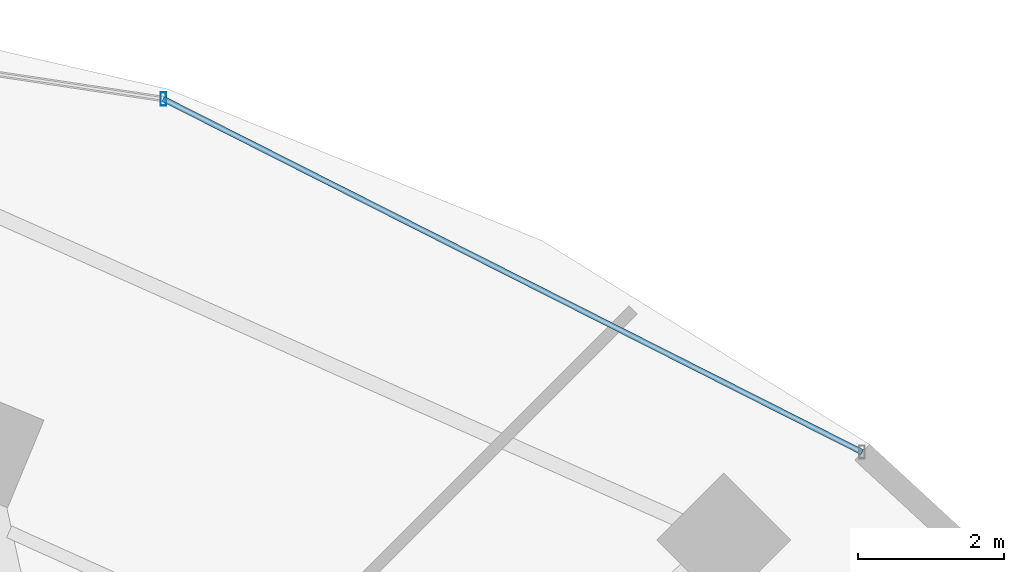
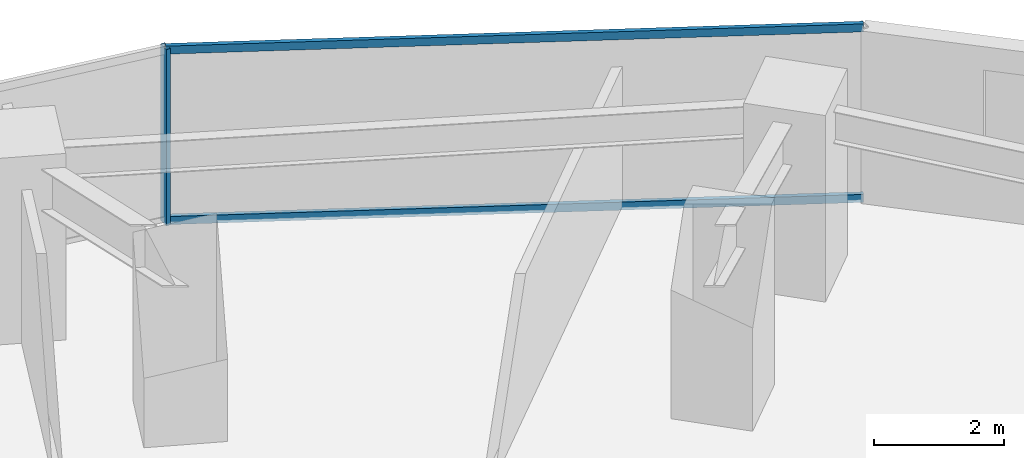
# One storey, part 23 of 34: 3 members, 1 element without a shape of its own.
"""IFC4 building model written with IfcOpenShell, lengths in metres."""

from ifc_helpers import new_model, si_unit, direction, frame, origin, origin_2d, place, context, subcontext, project, spatial, hollow_rectangle, extrude, material, material_profile, profile_set, type_object, element, aggregate, save


model = new_model("IFC4")

# Units and contexts
model_context = context("Model", 3, precision=1e-05, world=origin(), true_north=direction((0.0, 1.0)))
body_context = subcontext(model_context, "Body", "Model", "MODEL_VIEW")
ifc_project = project(units=[si_unit("LENGTHUNIT", "METRE"), si_unit("AREAUNIT", "SQUARE_METRE"), si_unit("VOLUMEUNIT", "CUBIC_METRE"), si_unit("PLANEANGLEUNIT", "RADIAN"), si_unit("MASSUNIT", "GRAM", prefix="KILO")], contexts=[model_context])

# Site, building, storey
site_placement = place(None, origin())
site = spatial("IfcSite", under=ifc_project, at=site_placement, CompositionType="ELEMENT")
building_placement = place(site_placement, origin())
building = spatial("IfcBuilding", under=site, at=building_placement, Name="Vorneva Point Tower", CompositionType="ELEMENT")
storey_placement = place(building_placement, frame((0.0, 0.0, 31.0)))
storey = spatial("IfcBuildingStorey", under=building, at=storey_placement, Name="L07", CompositionType="ELEMENT", Elevation=31.0)

# Curtain wall, members
ifc_material = material(Name="Pale anodised aluminium", Category="aluminium")
curtain_wall_type = type_object("IfcCurtainWallType", Name="CW-HTL-SYS", PredefinedType="NOTDEFINED", material=ifc_material)
curtain_wall_placement = place(storey_placement, origin())
curtain_wall = element("IfcCurtainWall", 1, at=curtain_wall_placement, inside=storey, type_object=curtain_wall_type, Name="L07 Unitised Curtain Wall CW-L07-R02", PredefinedType="NOTDEFINED")
ifc_material_profile_1 = material_profile(ifc_material, hollow_rectangle(XDim=0.074951171875, YDim=0.179931640625, WallThickness=0.00390625, at=origin_2d()), Name="AL-MUL 180x75x4")
ifc_profile_set_1 = profile_set([ifc_material_profile_1], Name="Pale anodised aluminium")
member_type_1 = type_object("IfcMemberType", Name="CW-MUL-180", PredefinedType="MULLION", material=ifc_profile_set_1)
member_1_placement = place(storey_placement, frame((49.308349609375, 46.648681640625, -0.0400390625), z_axis=(0.0, 0.0, 1.0), x_axis=(1.0, 0.0, 0.0)))
member_1 = element("IfcMember", 2, at=member_1_placement, type_object=member_type_1, Name="CW-L07-R02 Mullion 02", PredefinedType="MULLION", context=body_context, shape_type="SweptSolid", body=[
    extrude(hollow_rectangle(XDim=0.074951171875, YDim=0.179931640625, WallThickness=0.00390625, at=origin_2d()), origin(), (0.0, 0.0, 1.0), 3.31005859375),
])
ifc_material_profile_2 = material_profile(ifc_material, hollow_rectangle(XDim=0.074951171875, YDim=0.14990234375, WallThickness=0.00390625, at=origin_2d()), Name="AL-TRN 150x75x4")
ifc_profile_set_2 = profile_set([ifc_material_profile_2], Name="Pale anodised aluminium")
member_type_2 = type_object("IfcMemberType", Name="CW-TRN-150", PredefinedType="USERDEFINED", material=ifc_profile_set_2)
member_2_placement = place(storey_placement, frame((58.89501953125, 41.8037109375, 0.02001953125), z_axis=(-0.892496057621, 0.451055192999, 0.0), x_axis=(-0.451055192999, -0.892496057621, 0.0)))
member_2 = element("IfcMember", 3, at=member_2_placement, type_object=member_type_2, Name="CW-L07-R02 Transom 01.1", ObjectType="TRANSOM", PredefinedType="USERDEFINED", context=body_context, shape_type="SweptSolid", body=[
    extrude(hollow_rectangle(XDim=0.074951171875, YDim=0.14990234375, WallThickness=0.00390625, at=origin_2d()), origin(), (0.0, 0.0, 1.0), 10.741455078125),
])
member_3_placement = place(storey_placement, frame((58.89501953125, 41.8037109375, 3.219970703125), z_axis=(-0.892496057621, 0.451055192999, 0.0), x_axis=(-0.451055192999, -0.892496057621, 0.0)))
member_3 = element("IfcMember", 4, at=member_3_placement, type_object=member_type_2, Name="CW-L07-R02 Transom 01.2", ObjectType="TRANSOM", PredefinedType="USERDEFINED", context=body_context, shape_type="SweptSolid", body=[
    extrude(hollow_rectangle(XDim=0.074951171875, YDim=0.14990234375, WallThickness=0.00390625, at=origin_2d()), origin(), (0.0, 0.0, 1.0), 10.741455078125),
])
aggregate(curtain_wall, [member_1, member_2, member_3])

save(model, "model.ifc")
